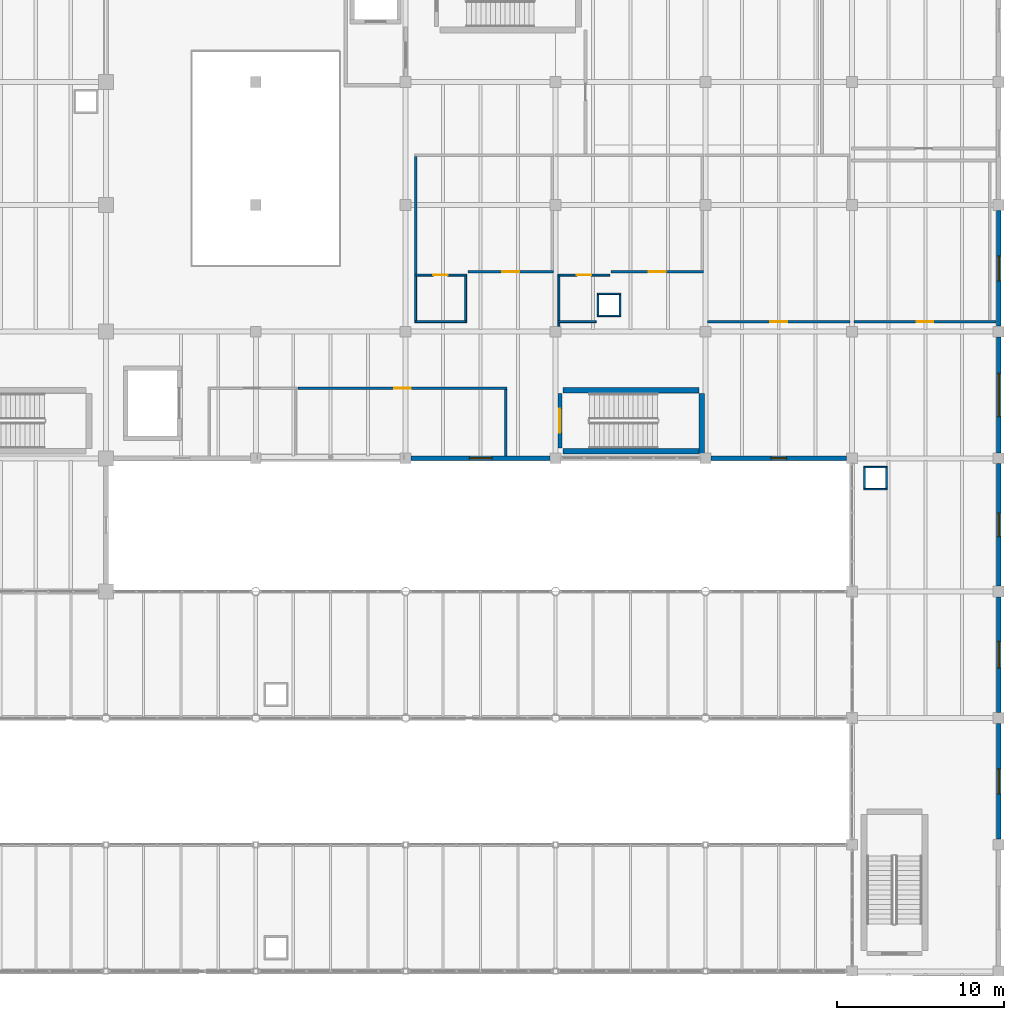
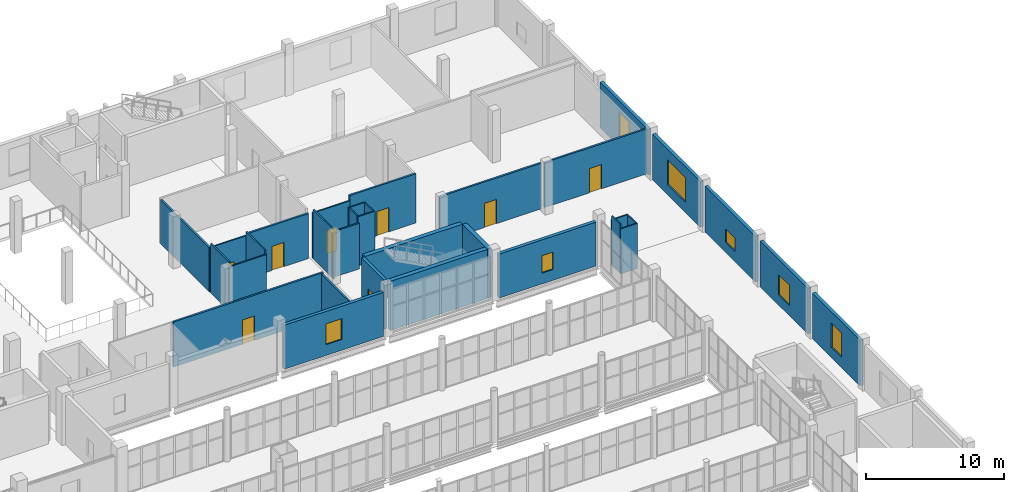
# One storey, part 157 of 172: 33 walls, 8 doors, 7 windows, 15 openings.
"""IFC4 building model written with IfcOpenShell, lengths in metres."""

from ifc_helpers import new_model, si_unit, direction, frame, frame_2d, origin, place, context, subcontext, project, spatial, rectangle, extrude, material, layer, layer_set, type_object, element, fill, save


model = new_model("IFC4")

# Units and contexts
model_context = context("Model", 3, precision=1e-05, world=origin(), true_north=direction((0.0, 1.0)))
body_context = subcontext(model_context, "Body", "Model", "MODEL_VIEW")
ifc_project = project(units=[si_unit("LENGTHUNIT", "METRE"), si_unit("AREAUNIT", "SQUARE_METRE"), si_unit("VOLUMEUNIT", "CUBIC_METRE"), si_unit("PLANEANGLEUNIT", "RADIAN"), si_unit("MASSUNIT", "GRAM", prefix="KILO")], contexts=[model_context])

# Site, building, storey
site_placement = place(None, origin())
site = spatial("IfcSite", under=ifc_project, at=site_placement, CompositionType="ELEMENT")
building_placement = place(site_placement, origin())
building = spatial("IfcBuilding", under=site, at=building_placement, Name="Shengluoqiao Park Theatre", CompositionType="ELEMENT")
storey_placement = place(building_placement, frame((0.0, 0.0, 5.39990234375)))
storey = spatial("IfcBuildingStorey", under=building, at=storey_placement, Name="L01", CompositionType="ELEMENT", Elevation=5.39990234375)

# Wall, opening, window
ifc_material_1 = material(Name="Concrete C40", Category="concrete")
ifc_layer_1 = layer(ifc_material_1, 0.27001953125, Name="Concrete C40")
ifc_layer_set_1 = layer_set([ifc_layer_1], Name="Concrete C40")
wall_type_1 = type_object("IfcWallType", Name="ENV-WL-CONC270", PredefinedType="STANDARD", material=ifc_layer_set_1)
wall_1_placement = place(storey_placement, frame((130.72900390625, 84.0, 0.0), z_axis=(0.0, 0.0, 1.0), x_axis=(1.0, 0.0, 0.0)))
wall_1 = element("IfcWall", 1, at=wall_1_placement, inside=storey, type_object=wall_type_1, Name="L01 Exterior Wall 0194", PredefinedType="STANDARD", context=body_context, shape_type="SweptSolid", body=[
    extrude(rectangle(XDim=8.342041015625, YDim=0.27001953125, at=frame_2d((4.1708984375, 0.0))), origin(), (0.0, 0.0, 1.0), 3.898193359375),
])
opening_1_placement = place(wall_1_placement, frame((3.49609375, 0.0, 0.949951171875)))
opening_1 = element("IfcOpeningElement", 2, at=opening_1_placement, cuts=wall_1, Name="Opening W-17", PredefinedType="OPENING", context=body_context, shape_type="SweptSolid", body=[
    extrude(rectangle(XDim=1.35009765625, YDim=1.85009765625, at=frame_2d((0.675048828125, 0.925048828125))), frame((0.0, 0.14501953125, 0.0), z_axis=(0.0, -1.0, 0.0), x_axis=(1.0, 0.0, 0.0)), (0.0, 0.0, 1.0), 0.2900390625),
])
ifc_material_2 = material(Name="Insulated glass", Category="glass")
window_type_1 = type_object("IfcWindowType", Name="ENV-WIN-W17", PartitioningType="SINGLE_PANEL", PredefinedType="WINDOW", material=ifc_material_2)
window_1_placement = place(opening_1_placement, origin())
window_1 = element("IfcWindow", 3, at=window_1_placement, inside=storey, type_object=window_type_1, Name="L01 Acoustic Window 0040", OverallHeight=1.85009765625, OverallWidth=1.35009765625, PartitioningType="SINGLE_PANEL", PredefinedType="WINDOW", context=body_context, shape_type="SweptSolid", body=[
    extrude(rectangle(XDim=1.35009765625, YDim=1.85009765625, at=frame_2d((0.675048828125, 0.925048828125))), frame((0.0, 0.030029296875, 0.0), z_axis=(0.0, -1.0, 0.0), x_axis=(1.0, 0.0, 0.0)), (0.0, 0.0, 1.0), 0.06005859375),
])
fill(opening_1, window_1)

wall_2_placement = place(storey_placement, frame((148.72900390625, 84.0, 0.0), z_axis=(0.0, 0.0, 1.0), x_axis=(1.0, 0.0, 0.0)))
wall_2 = element("IfcWall", 4, at=wall_2_placement, inside=storey, type_object=wall_type_1, Name="L01 Exterior Wall 0195", PredefinedType="STANDARD", context=body_context, shape_type="SweptSolid", body=[
    extrude(rectangle(XDim=8.14208984375, YDim=0.27001953125, at=frame_2d((4.071044921875, 0.0))), origin(), (0.0, 0.0, 1.0), 3.898193359375),
])
opening_2_placement = place(wall_2_placement, frame((3.595947265625, 0.0, 0.949951171875)))
opening_2 = element("IfcOpeningElement", 5, at=opening_2_placement, cuts=wall_2, Name="Opening W-08", PredefinedType="OPENING", context=body_context, shape_type="SweptSolid", body=[
    extrude(rectangle(XDim=0.949951171875, YDim=1.550048828125, at=frame_2d((0.47509765625, 0.77490234375))), frame((0.0, 0.14501953125, 0.0), z_axis=(0.0, -1.0, 0.0), x_axis=(1.0, 0.0, 0.0)), (0.0, 0.0, 1.0), 0.2900390625),
])
window_type_2 = type_object("IfcWindowType", Name="ENV-WIN-W08", PartitioningType="SINGLE_PANEL", PredefinedType="WINDOW", material=ifc_material_2)
window_2_placement = place(opening_2_placement, origin())
window_2 = element("IfcWindow", 6, at=window_2_placement, inside=storey, type_object=window_type_2, Name="L01 Acoustic Window 0041", OverallHeight=1.550048828125, OverallWidth=0.949951171875, PartitioningType="SINGLE_PANEL", PredefinedType="WINDOW", context=body_context, shape_type="SweptSolid", body=[
    extrude(rectangle(XDim=0.949951171875, YDim=1.550048828125, at=frame_2d((0.47509765625, 0.77490234375))), frame((0.0, 0.030029296875, 0.0), z_axis=(0.0, -1.0, 0.0), x_axis=(1.0, 0.0, 0.0)), (0.0, 0.0, 1.0), 0.06005859375),
])
fill(opening_2, window_2)

wall_3_placement = place(storey_placement, frame((166.0, 61.12890625, 0.0), z_axis=(0.0, 0.0, 1.0), x_axis=(0.0, 1.0, 0.0)))
wall_3 = element("IfcWall", 7, at=wall_3_placement, inside=storey, type_object=wall_type_1, Name="L01 Exterior Wall 0204", PredefinedType="STANDARD", context=body_context, shape_type="SweptSolid", body=[
    extrude(rectangle(XDim=6.942138671875, YDim=0.27001953125, at=frame_2d((3.47119140625, 0.0))), origin(), (0.0, 0.0, 1.0), 4.044189453125),
])
opening_3_placement = place(wall_3_placement, frame((2.720947265625, 0.0, 0.89990234375)))
opening_3 = element("IfcOpeningElement", 8, at=opening_3_placement, cuts=wall_3, Name="Opening W-03", PredefinedType="OPENING", context=body_context, shape_type="SweptSolid", body=[
    extrude(rectangle(XDim=1.5, YDim=2.14990234375, at=frame_2d((0.75, 1.074951171875))), frame((0.0, 0.14501953125, 0.0), z_axis=(0.0, -1.0, 0.0), x_axis=(1.0, 0.0, 0.0)), (0.0, 0.0, 1.0), 0.2900390625),
])
window_type_3 = type_object("IfcWindowType", Name="ENV-WIN-W03", PartitioningType="DOUBLE_PANEL_VERTICAL", PredefinedType="WINDOW", material=ifc_material_2)
window_3_placement = place(opening_3_placement, origin())
window_3 = element("IfcWindow", 9, at=window_3_placement, inside=storey, type_object=window_type_3, Name="L01 Acoustic Window 0050", OverallHeight=2.14990234375, OverallWidth=1.5, PartitioningType="DOUBLE_PANEL_VERTICAL", PredefinedType="WINDOW", context=body_context, shape_type="SweptSolid", body=[
    extrude(rectangle(XDim=1.5, YDim=2.14990234375, at=frame_2d((0.75, 1.074951171875))), frame((0.0, 0.030029296875, 0.0), z_axis=(0.0, -1.0, 0.0), x_axis=(1.0, 0.0, 0.0)), (0.0, 0.0, 1.0), 0.06005859375),
])
fill(opening_3, window_3)

wall_4_placement = place(storey_placement, frame((166.0, 68.72900390625, 0.0), z_axis=(0.0, 0.0, 1.0), x_axis=(0.0, 1.0, 0.0)))
wall_4 = element("IfcWall", 10, at=wall_4_placement, inside=storey, type_object=wall_type_1, Name="L01 Exterior Wall 0205", PredefinedType="STANDARD", context=body_context, shape_type="SweptSolid", body=[
    extrude(rectangle(XDim=6.94189453125, YDim=0.27001953125, at=frame_2d((3.470947265625, 0.0))), origin(), (0.0, 0.0, 1.0), 4.044189453125),
])
opening_4_placement = place(wall_4_placement, frame((2.6708984375, 0.0, 0.89990234375)))
opening_4 = element("IfcOpeningElement", 11, at=opening_4_placement, cuts=wall_4, Name="Opening W-06", PredefinedType="OPENING", context=body_context, shape_type="SweptSolid", body=[
    extrude(rectangle(XDim=1.60009765625, YDim=1.800048828125, at=frame_2d((0.800048828125, 0.89990234375))), frame((0.0, 0.14501953125, 0.0), z_axis=(0.0, -1.0, 0.0), x_axis=(1.0, 0.0, 0.0)), (0.0, 0.0, 1.0), 0.2900390625),
])
window_type_4 = type_object("IfcWindowType", Name="ENV-WIN-W06", PartitioningType="DOUBLE_PANEL_VERTICAL", PredefinedType="WINDOW", material=ifc_material_2)
window_4_placement = place(opening_4_placement, origin())
window_4 = element("IfcWindow", 12, at=window_4_placement, inside=storey, type_object=window_type_4, Name="L01 Acoustic Window 0051", OverallHeight=1.800048828125, OverallWidth=1.60009765625, PartitioningType="DOUBLE_PANEL_VERTICAL", PredefinedType="WINDOW", context=body_context, shape_type="SweptSolid", body=[
    extrude(rectangle(XDim=1.60009765625, YDim=1.800048828125, at=frame_2d((0.800048828125, 0.89990234375))), frame((0.0, 0.030029296875, 0.0), z_axis=(0.0, -1.0, 0.0), x_axis=(1.0, 0.0, 0.0)), (0.0, 0.0, 1.0), 0.06005859375),
])
fill(opening_4, window_4)

wall_5_placement = place(storey_placement, frame((166.0, 76.3291015625, 0.0), z_axis=(0.0, 0.0, 1.0), x_axis=(0.0, 1.0, 0.0)))
wall_5 = element("IfcWall", 13, at=wall_5_placement, inside=storey, type_object=wall_type_1, Name="L01 Exterior Wall 0206", PredefinedType="STANDARD", context=body_context, shape_type="SweptSolid", body=[
    extrude(rectangle(XDim=7.341796875, YDim=0.27001953125, at=frame_2d((3.6708984375, 0.0))), origin(), (0.0, 0.0, 1.0), 4.044189453125),
])
opening_5_placement = place(wall_5_placement, frame((2.970947265625, 0.0, 0.89990234375)))
opening_5 = element("IfcOpeningElement", 14, at=opening_5_placement, cuts=wall_5, Name="Opening W-12", PredefinedType="OPENING", context=body_context, shape_type="SweptSolid", body=[
    extrude(rectangle(XDim=1.39990234375, YDim=1.199951171875, at=frame_2d((0.699951171875, 0.60009765625))), frame((0.0, 0.14501953125, 0.0), z_axis=(0.0, -1.0, 0.0), x_axis=(1.0, 0.0, 0.0)), (0.0, 0.0, 1.0), 0.2900390625),
])
window_type_5 = type_object("IfcWindowType", Name="ENV-WIN-W12", PartitioningType="SINGLE_PANEL", PredefinedType="WINDOW", material=ifc_material_2)
window_5_placement = place(opening_5_placement, origin())
window_5 = element("IfcWindow", 15, at=window_5_placement, inside=storey, type_object=window_type_5, Name="L01 Acoustic Window 0052", OverallHeight=1.199951171875, OverallWidth=1.39990234375, PartitioningType="SINGLE_PANEL", PredefinedType="WINDOW", context=body_context, shape_type="SweptSolid", body=[
    extrude(rectangle(XDim=1.39990234375, YDim=1.199951171875, at=frame_2d((0.699951171875, 0.60009765625))), frame((0.0, 0.030029296875, 0.0), z_axis=(0.0, -1.0, 0.0), x_axis=(1.0, 0.0, 0.0)), (0.0, 0.0, 1.0), 0.06005859375),
])
fill(opening_5, window_5)

wall_6_placement = place(storey_placement, frame((166.0, 84.3291015625, 0.0), z_axis=(0.0, 0.0, 1.0), x_axis=(0.0, 1.0, 0.0)))
wall_6 = element("IfcWall", 16, at=wall_6_placement, inside=storey, type_object=wall_type_1, Name="L01 Exterior Wall 0207", PredefinedType="STANDARD", context=body_context, shape_type="SweptSolid", body=[
    extrude(rectangle(XDim=6.94189453125, YDim=0.27001953125, at=frame_2d((3.470947265625, 0.0))), origin(), (0.0, 0.0, 1.0), 4.044189453125),
])
opening_6_placement = place(wall_6_placement, frame((2.1708984375, 0.0, 0.89990234375)))
opening_6 = element("IfcOpeningElement", 17, at=opening_6_placement, cuts=wall_6, Name="Opening W-14", PredefinedType="OPENING", context=body_context, shape_type="SweptSolid", body=[
    extrude(rectangle(XDim=2.60009765625, YDim=2.199951171875, at=frame_2d((1.300048828125, 1.10009765625))), frame((0.0, 0.14501953125, 0.0), z_axis=(0.0, -1.0, 0.0), x_axis=(1.0, 0.0, 0.0)), (0.0, 0.0, 1.0), 0.2900390625),
])
window_type_6 = type_object("IfcWindowType", Name="ENV-WIN-W14", PartitioningType="DOUBLE_PANEL_VERTICAL", PredefinedType="WINDOW", material=ifc_material_2)
window_6_placement = place(opening_6_placement, origin())
window_6 = element("IfcWindow", 18, at=window_6_placement, inside=storey, type_object=window_type_6, Name="L01 Acoustic Window 0053", OverallHeight=2.199951171875, OverallWidth=2.60009765625, PartitioningType="DOUBLE_PANEL_VERTICAL", PredefinedType="WINDOW", context=body_context, shape_type="SweptSolid", body=[
    extrude(rectangle(XDim=2.60009765625, YDim=2.199951171875, at=frame_2d((1.300048828125, 1.10009765625))), frame((0.0, 0.030029296875, 0.0), z_axis=(0.0, -1.0, 0.0), x_axis=(1.0, 0.0, 0.0)), (0.0, 0.0, 1.0), 0.06005859375),
])
fill(opening_6, window_6)

wall_7_placement = place(storey_placement, frame((166.0, 91.928955078125, 0.0), z_axis=(0.0, 0.0, 1.0), x_axis=(0.0, 1.0, 0.0)))
wall_7 = element("IfcWall", 19, at=wall_7_placement, inside=storey, type_object=wall_type_1, Name="L01 Exterior Wall 0208", PredefinedType="STANDARD", context=body_context, shape_type="SweptSolid", body=[
    extrude(rectangle(XDim=6.942138671875, YDim=0.27001953125, at=frame_2d((3.47119140625, 0.0))), origin(), (0.0, 0.0, 1.0), 4.044189453125),
])
opening_7_placement = place(wall_7_placement, frame((2.720947265625, 0.0, 0.89990234375)))
opening_7 = element("IfcOpeningElement", 20, at=opening_7_placement, cuts=wall_7, Name="Opening W-03", PredefinedType="OPENING", context=body_context, shape_type="SweptSolid", body=[
    extrude(rectangle(XDim=1.5, YDim=2.14990234375, at=frame_2d((0.75, 1.074951171875))), frame((0.0, 0.14501953125, 0.0), z_axis=(0.0, -1.0, 0.0), x_axis=(1.0, 0.0, 0.0)), (0.0, 0.0, 1.0), 0.2900390625),
])
window_7_placement = place(opening_7_placement, origin())
window_7 = element("IfcWindow", 21, at=window_7_placement, inside=storey, type_object=window_type_3, Name="L01 Acoustic Window 0054", OverallHeight=2.14990234375, OverallWidth=1.5, PartitioningType="DOUBLE_PANEL_VERTICAL", PredefinedType="WINDOW", context=body_context, shape_type="SweptSolid", body=[
    extrude(rectangle(XDim=1.5, YDim=2.14990234375, at=frame_2d((0.75, 1.074951171875))), frame((0.0, 0.030029296875, 0.0), z_axis=(0.0, -1.0, 0.0), x_axis=(1.0, 0.0, 0.0)), (0.0, 0.0, 1.0), 0.06005859375),
])
fill(opening_7, window_7)

# Wall, opening, door
ifc_material_3 = material(Name="Gypsum acoustic stud", Category="gypsum")
ifc_layer_2 = layer(ifc_material_3, 0.155029296875, Name="Gypsum acoustic stud")
ifc_layer_set_2 = layer_set([ifc_layer_2], Name="Gypsum acoustic stud")
wall_type_2 = type_object("IfcWallType", Name="INT-WL-DRS155", PredefinedType="PARTITIONING", material=ifc_layer_set_2)
wall_8_placement = place(storey_placement, frame((134.135009765625, 95.199951171875, 0.0), z_axis=(0.0, 0.0, 1.0), x_axis=(1.0, 0.0, 0.0)))
wall_8 = element("IfcWall", 22, at=wall_8_placement, inside=storey, type_object=wall_type_2, Name="Principal Dressing Room 01 Partition S", PredefinedType="PARTITIONING", context=body_context, shape_type="SweptSolid", body=[
    extrude(rectangle(XDim=5.142578125, YDim=0.155029296875, at=frame_2d((2.5712890625, 0.0))), origin(), (0.0, 0.0, 1.0), 3.988037109375),
])
opening_8_placement = place(wall_8_placement, frame((2.0712890625, 0.0, 0.0)))
opening_8 = element("IfcOpeningElement", 23, at=opening_8_placement, cuts=wall_8, Name="Opening D-L01-041", PredefinedType="OPENING", context=body_context, shape_type="SweptSolid", body=[
    extrude(rectangle(XDim=1.0, YDim=2.14990234375, at=frame_2d((0.5, 1.074951171875))), frame((0.0, 0.08740234375, 0.0), z_axis=(0.0, -1.0, 0.0), x_axis=(1.0, 0.0, 0.0)), (0.0, 0.0, 1.0), 0.175048828125),
])
ifc_material_4 = material(Name="Acoustic timber", Category="wood")
door_type_1 = type_object("IfcDoorType", Name="INT-DR-SNG100", OperationType="NOTDEFINED", PredefinedType="DOOR", material=ifc_material_4)
door_1_placement = place(opening_8_placement, origin())
door_1 = element("IfcDoor", 24, at=door_1_placement, inside=storey, type_object=door_type_1, Name="Principal Dressing Room 01 Door D-L01-041", OperationType="SINGLE_SWING_LEFT", OverallHeight=2.14990234375, OverallWidth=1.0, PredefinedType="DOOR", context=body_context, shape_type="SweptSolid", body=[
    extrude(rectangle(XDim=1.0, YDim=2.14990234375, at=frame_2d((0.5, 1.074951171875))), frame((0.0, 0.02490234375, 0.0), z_axis=(0.0, -1.0, 0.0), x_axis=(1.0, 0.0, 0.0)), (0.0, 0.0, 1.0), 0.050048828125),
])
fill(opening_8, door_1)

# Wall
wall_9_placement = place(storey_placement, frame((131.0, 95.0654296875, 0.0), z_axis=(0.0, 0.0, 1.0), x_axis=(0.0, 1.0, 0.0)))
element("IfcWall", 25, at=wall_9_placement, inside=storey, type_object=wall_type_2, Name="Principal Dressing Room 01 Partition W", PredefinedType="PARTITIONING", context=body_context, shape_type="SweptSolid", body=[
    extrude(rectangle(XDim=7.051025390625, YDim=0.155029296875, at=frame_2d((3.525390625, 0.0))), origin(), (0.0, 0.0, 1.0), 3.898193359375),
])

# Wall, opening, door
wall_10_placement = place(storey_placement, frame((142.735107421875, 95.199951171875, 0.0), z_axis=(0.0, 0.0, 1.0), x_axis=(1.0, 0.0, 0.0)))
wall_10 = element("IfcWall", 26, at=wall_10_placement, inside=storey, type_object=wall_type_2, Name="Principal Dressing Room 02 Partition S", PredefinedType="PARTITIONING", context=body_context, shape_type="SweptSolid", body=[
    extrude(rectangle(XDim=5.54248046875, YDim=0.155029296875, at=frame_2d((2.771240234375, 0.0))), origin(), (0.0, 0.0, 1.0), 4.360107421875),
])
opening_9_placement = place(wall_10_placement, frame((2.271240234375, 0.0, 0.0)))
opening_9 = element("IfcOpeningElement", 27, at=opening_9_placement, cuts=wall_10, Name="Opening D-L01-042", PredefinedType="OPENING", context=body_context, shape_type="SweptSolid", body=[
    extrude(rectangle(XDim=1.0, YDim=2.14990234375, at=frame_2d((0.5, 1.074951171875))), frame((0.0, 0.08740234375, 0.0), z_axis=(0.0, -1.0, 0.0), x_axis=(1.0, 0.0, 0.0)), (0.0, 0.0, 1.0), 0.175048828125),
])
door_2_placement = place(opening_9_placement, origin())
door_2 = element("IfcDoor", 28, at=door_2_placement, inside=storey, type_object=door_type_1, Name="Principal Dressing Room 02 Door D-L01-042", OperationType="SINGLE_SWING_RIGHT", OverallHeight=2.14990234375, OverallWidth=1.0, PredefinedType="DOOR", context=body_context, shape_type="SweptSolid", body=[
    extrude(rectangle(XDim=1.0, YDim=2.14990234375, at=frame_2d((0.5, 1.074951171875))), frame((0.0, 0.02490234375, 0.0), z_axis=(0.0, -1.0, 0.0), x_axis=(1.0, 0.0, 0.0)), (0.0, 0.0, 1.0), 0.050048828125),
])
fill(opening_9, door_2)

wall_11_placement = place(storey_placement, frame((148.5224609375, 92.199951171875, 0.0), z_axis=(0.0, 0.0, 1.0), x_axis=(1.0, 0.0, 0.0)))
wall_11 = element("IfcWall", 29, at=wall_11_placement, inside=storey, type_object=wall_type_2, Name="Chorus Dressing Room 01 Partition S", PredefinedType="PARTITIONING", context=body_context, shape_type="SweptSolid", body=[
    extrude(rectangle(XDim=8.554931640625, YDim=0.155029296875, at=frame_2d((4.27734375, 0.0))), origin(), (0.0, 0.0, 1.0), 4.044189453125),
])
opening_10_placement = place(wall_11_placement, frame((3.777587890625, 0.0, 0.0)))
opening_10 = element("IfcOpeningElement", 30, at=opening_10_placement, cuts=wall_11, Name="Opening D-L01-043", PredefinedType="OPENING", context=body_context, shape_type="SweptSolid", body=[
    extrude(rectangle(XDim=1.0, YDim=2.14990234375, at=frame_2d((0.5, 1.074951171875))), frame((0.0, 0.08740234375, 0.0), z_axis=(0.0, -1.0, 0.0), x_axis=(1.0, 0.0, 0.0)), (0.0, 0.0, 1.0), 0.175048828125),
])
door_3_placement = place(opening_10_placement, origin())
door_3 = element("IfcDoor", 31, at=door_3_placement, inside=storey, type_object=door_type_1, Name="Chorus Dressing Room 01 Door D-L01-043", OperationType="SINGLE_SWING_LEFT", OverallHeight=2.14990234375, OverallWidth=1.0, PredefinedType="DOOR", context=body_context, shape_type="SweptSolid", body=[
    extrude(rectangle(XDim=1.0, YDim=2.14990234375, at=frame_2d((0.5, 1.074951171875))), frame((0.0, 0.02490234375, 0.0), z_axis=(0.0, -1.0, 0.0), x_axis=(1.0, 0.0, 0.0)), (0.0, 0.0, 1.0), 0.050048828125),
])
fill(opening_10, door_3)

wall_12_placement = place(storey_placement, frame((157.322509765625, 92.199951171875, 0.0), z_axis=(0.0, 0.0, 1.0), x_axis=(1.0, 0.0, 0.0)))
wall_12 = element("IfcWall", 32, at=wall_12_placement, inside=storey, type_object=wall_type_2, Name="Chorus Dressing Room 02 Partition S", PredefinedType="PARTITIONING", context=body_context, shape_type="SweptSolid", body=[
    extrude(rectangle(XDim=8.534423828125, YDim=0.155029296875, at=frame_2d((4.26708984375, 0.0))), origin(), (0.0, 0.0, 1.0), 3.988037109375),
])
opening_11_placement = place(wall_12_placement, frame((3.767333984375, 0.0, 0.0)))
opening_11 = element("IfcOpeningElement", 33, at=opening_11_placement, cuts=wall_12, Name="Opening D-L01-044", PredefinedType="OPENING", context=body_context, shape_type="SweptSolid", body=[
    extrude(rectangle(XDim=1.0, YDim=2.14990234375, at=frame_2d((0.5, 1.074951171875))), frame((0.0, 0.08740234375, 0.0), z_axis=(0.0, -1.0, 0.0), x_axis=(1.0, 0.0, 0.0)), (0.0, 0.0, 1.0), 0.175048828125),
])
door_4_placement = place(opening_11_placement, origin())
door_4 = element("IfcDoor", 34, at=door_4_placement, inside=storey, type_object=door_type_1, Name="Chorus Dressing Room 02 Door D-L01-044", OperationType="SINGLE_SWING_RIGHT", OverallHeight=2.14990234375, OverallWidth=1.0, PredefinedType="DOOR", context=body_context, shape_type="SweptSolid", body=[
    extrude(rectangle(XDim=1.0, YDim=2.14990234375, at=frame_2d((0.5, 1.074951171875))), frame((0.0, 0.02490234375, 0.0), z_axis=(0.0, -1.0, 0.0), x_axis=(1.0, 0.0, 0.0)), (0.0, 0.0, 1.0), 0.050048828125),
])
fill(opening_11, door_4)

wall_13_placement = place(storey_placement, frame((123.93505859375, 88.199951171875, 0.0), z_axis=(0.0, 0.0, 1.0), x_axis=(1.0, 0.0, 0.0)))
wall_13 = element("IfcWall", 35, at=wall_13_placement, inside=storey, type_object=wall_type_2, Name="Character Makeup and Costume Fitting Studio Partition N", PredefinedType="PARTITIONING", context=body_context, shape_type="SweptSolid", body=[
    extrude(rectangle(XDim=12.54248046875, YDim=0.155029296875, at=frame_2d((6.271240234375, 0.0))), origin(), (0.0, 0.0, 1.0), 3.988037109375),
])
opening_12_placement = place(wall_13_placement, frame((5.771240234375, 0.0, 0.0)))
opening_12 = element("IfcOpeningElement", 36, at=opening_12_placement, cuts=wall_13, Name="Opening D-L01-045", PredefinedType="OPENING", context=body_context, shape_type="SweptSolid", body=[
    extrude(rectangle(XDim=1.0, YDim=2.14990234375, at=frame_2d((0.5, 1.074951171875))), frame((0.0, 0.08740234375, 0.0), z_axis=(0.0, -1.0, 0.0), x_axis=(1.0, 0.0, 0.0)), (0.0, 0.0, 1.0), 0.175048828125),
])
door_5_placement = place(opening_12_placement, origin())
door_5 = element("IfcDoor", 37, at=door_5_placement, inside=storey, type_object=door_type_1, Name="Character Makeup and Costume Fitting Studio Door D-L01-045", OperationType="SINGLE_SWING_LEFT", OverallHeight=2.14990234375, OverallWidth=1.0, PredefinedType="DOOR", context=body_context, shape_type="SweptSolid", body=[
    extrude(rectangle(XDim=1.0, YDim=2.14990234375, at=frame_2d((0.5, 1.074951171875))), frame((0.0, 0.02490234375, 0.0), z_axis=(0.0, -1.0, 0.0), x_axis=(1.0, 0.0, 0.0)), (0.0, 0.0, 1.0), 0.050048828125),
])
fill(opening_12, door_5)

# Walls
wall_14_placement = place(storey_placement, frame((136.39990234375, 84.14306640625, 0.0), z_axis=(0.0, 0.0, 1.0), x_axis=(0.0, 1.0, 0.0)))
element("IfcWall", 38, at=wall_14_placement, inside=storey, type_object=wall_type_2, Name="Character Makeup and Costume Fitting Studio Partition E", PredefinedType="PARTITIONING", context=body_context, shape_type="SweptSolid", body=[
    extrude(rectangle(XDim=3.973388671875, YDim=0.155029296875, at=frame_2d((1.98681640625, 0.0))), origin(), (0.0, 0.0, 1.0), 3.898193359375),
])
ifc_material_5 = material(Name="Gypsum shaftwall", Category="gypsum")
ifc_layer_3 = layer(ifc_material_5, 0.094970703125, Name="Gypsum shaftwall")
ifc_layer_set_3 = layer_set([ifc_layer_3], Name="Gypsum shaftwall")
wall_type_3 = type_object("IfcWallType", Name="INT-WL-RSR095", PredefinedType="PARTITIONING", material=ifc_layer_set_3)
for number, where, z_axis, x_axis, name in (
    (39, (141.905029296875, 92.550048828125, 0.0), (0.0, 0.0, 1.0), (1.0, 0.0, 0.0), "L01 Service Riser Shaftwall 093"),
    (40, (141.905029296875, 93.8701171875, 0.0), (0.0, 0.0, 1.0), (1.0, 0.0, 0.0), "L01 Service Riser Shaftwall 094"),
):
    element("IfcWall", number, at=place(storey_placement, frame(where, z_axis=z_axis, x_axis=x_axis)), inside=storey, type_object=wall_type_3, Name=name, PredefinedType="PARTITIONING", context=body_context, shape_type="SweptSolid", body=[
        extrude(rectangle(XDim=1.409912109375, YDim=0.094970703125, at=frame_2d((0.705078125, 0.0))), origin(), (0.0, 0.0, 1.0), 4.360107421875),
    ])
for number, where, z_axis, x_axis, name in (
    (41, (141.949951171875, 92.60498046875, 0.0), (0.0, 0.0, 1.0), (0.0, 1.0, 0.0), "L01 Service Riser Shaftwall 095"),
    (42, (143.27001953125, 92.60498046875, 0.0), (0.0, 0.0, 1.0), (0.0, 1.0, 0.0), "L01 Service Riser Shaftwall 096"),
):
    element("IfcWall", number, at=place(storey_placement, frame(where, z_axis=z_axis, x_axis=x_axis)), inside=storey, type_object=wall_type_3, Name=name, PredefinedType="PARTITIONING", context=body_context, shape_type="SweptSolid", body=[
        extrude(rectangle(XDim=1.2099609375, YDim=0.094970703125, at=frame_2d((0.60498046875, 0.0))), origin(), (0.0, 0.0, 1.0), 4.360107421875),
    ])
for number, where, z_axis, x_axis, name in (
    (43, (157.905029296875, 82.14990234375, 0.0), (0.0, 0.0, 1.0), (1.0, 0.0, 0.0), "L01 Service Riser Shaftwall 097"),
    (44, (157.905029296875, 83.469970703125, 0.0), (0.0, 0.0, 1.0), (1.0, 0.0, 0.0), "L01 Service Riser Shaftwall 098"),
):
    element("IfcWall", number, at=place(storey_placement, frame(where, z_axis=z_axis, x_axis=x_axis)), inside=storey, type_object=wall_type_3, Name=name, PredefinedType="PARTITIONING", context=body_context, shape_type="SweptSolid", body=[
        extrude(rectangle(XDim=1.409912109375, YDim=0.094970703125, at=frame_2d((0.705078125, 0.0))), origin(), (0.0, 0.0, 1.0), 3.988037109375),
    ])
wall_15_placement = place(storey_placement, frame((157.949951171875, 82.205078125, 0.0), z_axis=(0.0, 0.0, 1.0), x_axis=(0.0, 1.0, 0.0)))
element("IfcWall", 45, at=wall_15_placement, inside=storey, type_object=wall_type_3, Name="L01 Service Riser Shaftwall 099", PredefinedType="PARTITIONING", context=body_context, shape_type="SweptSolid", body=[
    extrude(rectangle(XDim=1.2099609375, YDim=0.094970703125, at=frame_2d((0.60498046875, 0.0))), origin(), (0.0, 0.0, 1.0), 4.360107421875),
])
wall_16_placement = place(storey_placement, frame((159.27001953125, 82.205078125, 0.0), z_axis=(0.0, 0.0, 1.0), x_axis=(0.0, 1.0, 0.0)))
element("IfcWall", 46, at=wall_16_placement, inside=storey, type_object=wall_type_3, Name="L01 Service Riser Shaftwall 100", PredefinedType="PARTITIONING", context=body_context, shape_type="SweptSolid", body=[
    extrude(rectangle(XDim=1.2099609375, YDim=0.094970703125, at=frame_2d((0.60498046875, 0.0))), origin(), (0.0, 0.0, 1.0), 3.988037109375),
])

# Wall, opening, door
ifc_layer_4 = layer(ifc_material_1, 0.239990234375, Name="Concrete C40")
ifc_layer_set_4 = layer_set([ifc_layer_4], Name="Concrete C40")
wall_type_4 = type_object("IfcWallType", Name="INT-WL-STW240", PredefinedType="STANDARD", material=ifc_layer_set_4)
wall_17_placement = place(storey_placement, frame((139.659912109375, 84.610107421875, 0.0), z_axis=(0.0, 0.0, 1.0), x_axis=(0.0, 1.0, 0.0)))
wall_17 = element("IfcWall", 47, at=wall_17_placement, inside=storey, type_object=wall_type_4, Name="L01 ST-10 Stairwell Fire Wall", PredefinedType="STANDARD", context=body_context, shape_type="SweptSolid", body=[
    extrude(rectangle(XDim=3.27978515625, YDim=0.239990234375, at=frame_2d((1.639892578125, 0.0))), origin(), (0.0, 0.0, 1.0), 4.360107421875),
])
opening_13_placement = place(wall_17_placement, frame((0.9150390625, 0.0, 0.0)))
opening_13 = element("IfcOpeningElement", 48, at=opening_13_placement, cuts=wall_17, Name="Opening SD-10-L01", PredefinedType="OPENING", context=body_context, shape_type="SweptSolid", body=[
    extrude(rectangle(XDim=1.449951171875, YDim=2.199951171875, at=frame_2d((0.72509765625, 1.10009765625))), frame((0.0, 0.1298828125, 0.0), z_axis=(0.0, -1.0, 0.0), x_axis=(1.0, 0.0, 0.0)), (0.0, 0.0, 1.0), 0.260009765625),
])
ifc_material_6 = material(Name="Steel Q355", Category="steel")
door_type_2 = type_object("IfcDoorType", Name="INT-DR-STW145", OperationType="DOUBLE_DOOR_SINGLE_SWING", PredefinedType="DOOR", material=ifc_material_6)
door_6_placement = place(opening_13_placement, origin())
door_6 = element("IfcDoor", 49, at=door_6_placement, inside=storey, type_object=door_type_2, Name="L01 ST-10 Escape Stair Door SD-10-L01", OperationType="DOUBLE_DOOR_SINGLE_SWING", OverallHeight=2.199951171875, OverallWidth=1.449951171875, PredefinedType="DOOR", context=body_context, shape_type="SweptSolid", body=[
    extrude(rectangle(XDim=1.449951171875, YDim=2.199951171875, at=frame_2d((0.72509765625, 1.10009765625))), frame((0.0, 0.02490234375, 0.0), z_axis=(0.0, -1.0, 0.0), x_axis=(1.0, 0.0, 0.0)), (0.0, 0.0, 1.0), 0.050048828125),
])
fill(opening_13, door_6)

ifc_material_7 = material(Name="Moisture-resistant board")
ifc_layer_5 = layer(ifc_material_7, 0.114990234375, Name="Moisture-resistant board")
ifc_layer_set_5 = layer_set([ifc_layer_5], Name="Moisture-resistant board")
wall_type_5 = type_object("IfcWallType", Name="INT-WL-WCP115", PredefinedType="PARTITIONING", material=ifc_layer_set_5)
wall_18_placement = place(storey_placement, frame((130.9423828125, 95.0, 0.0), z_axis=(0.0, 0.0, 1.0), x_axis=(1.0, 0.0, 0.0)))
wall_18 = element("IfcWall", 50, at=wall_18_placement, inside=storey, type_object=wall_type_5, Name="Principal En-Suite WC 01 Partition N", PredefinedType="PARTITIONING", context=body_context, shape_type="SweptSolid", body=[
    extrude(rectangle(XDim=3.115234375, YDim=0.114990234375, at=frame_2d((1.5576171875, 0.0))), origin(), (0.0, 0.0, 1.0), 3.988037109375),
])
opening_14_placement = place(wall_18_placement, frame((1.12744140625, 0.0, 0.0)))
opening_14 = element("IfcOpeningElement", 51, at=opening_14_placement, cuts=wall_18, Name="Opening D-L01-039", PredefinedType="OPENING", context=body_context, shape_type="SweptSolid", body=[
    extrude(rectangle(XDim=0.860107421875, YDim=2.0400390625, at=frame_2d((0.43017578125, 1.02001953125))), frame((0.0, 0.0673828125, 0.0), z_axis=(0.0, -1.0, 0.0), x_axis=(1.0, 0.0, 0.0)), (0.0, 0.0, 1.0), 0.135009765625),
])
ifc_material_8 = material(Name="Moisture-resistant laminate")
door_type_3 = type_object("IfcDoorType", Name="INT-DR-ENS086", OperationType="NOTDEFINED", PredefinedType="DOOR", material=ifc_material_8)
door_7_placement = place(opening_14_placement, origin())
door_7 = element("IfcDoor", 52, at=door_7_placement, inside=storey, type_object=door_type_3, Name="Principal En-Suite WC 01 Door D-L01-039", OperationType="SINGLE_SWING_LEFT", OverallHeight=2.0400390625, OverallWidth=0.860107421875, PredefinedType="DOOR", context=body_context, shape_type="SweptSolid", body=[
    extrude(rectangle(XDim=0.860107421875, YDim=2.0400390625, at=frame_2d((0.43017578125, 1.02001953125))), frame((0.0, 0.02490234375, 0.0), z_axis=(0.0, -1.0, 0.0), x_axis=(1.0, 0.0, 0.0)), (0.0, 0.0, 1.0), 0.050048828125),
])
fill(opening_14, door_7)

# Walls
wall_19_placement = place(storey_placement, frame((130.9423828125, 92.199951171875, 0.0), z_axis=(0.0, 0.0, 1.0), x_axis=(1.0, 0.0, 0.0)))
element("IfcWall", 53, at=wall_19_placement, inside=storey, type_object=wall_type_5, Name="Principal En-Suite WC 01 Partition S", PredefinedType="PARTITIONING", context=body_context, shape_type="SweptSolid", body=[
    extrude(rectangle(XDim=3.115234375, YDim=0.114990234375, at=frame_2d((1.5576171875, 0.0))), origin(), (0.0, 0.0, 1.0), 3.988037109375),
])
for number, where, z_axis, x_axis, name in (
    (54, (131.0, 92.263427734375, 0.0), (0.0, 0.0, 1.0), (0.0, 1.0, 0.0), "Principal En-Suite WC 01 Partition W"),
    (55, (134.0, 92.263427734375, 0.0), (0.0, 0.0, 1.0), (0.0, 1.0, 0.0), "Principal En-Suite WC 01 Partition E"),
):
    element("IfcWall", number, at=place(storey_placement, frame(where, z_axis=z_axis, x_axis=x_axis)), inside=storey, type_object=wall_type_5, Name=name, PredefinedType="PARTITIONING", context=body_context, shape_type="SweptSolid", body=[
        extrude(rectangle(XDim=2.673095703125, YDim=0.114990234375, at=frame_2d((1.33642578125, 0.0))), origin(), (0.0, 0.0, 1.0), 4.360107421875),
    ])

# Wall, opening, door
wall_20_placement = place(storey_placement, frame((139.54248046875, 95.0, 0.0), z_axis=(0.0, 0.0, 1.0), x_axis=(1.0, 0.0, 0.0)))
wall_20 = element("IfcWall", 56, at=wall_20_placement, inside=storey, type_object=wall_type_5, Name="Principal En-Suite WC 02 Partition N", PredefinedType="PARTITIONING", context=body_context, shape_type="SweptSolid", body=[
    extrude(rectangle(XDim=3.114990234375, YDim=0.114990234375, at=frame_2d((1.5576171875, 0.0))), origin(), (0.0, 0.0, 1.0), 4.044189453125),
])
opening_15_placement = place(wall_20_placement, frame((1.12744140625, 0.0, 0.0)))
opening_15 = element("IfcOpeningElement", 57, at=opening_15_placement, cuts=wall_20, Name="Opening D-L01-040", PredefinedType="OPENING", context=body_context, shape_type="SweptSolid", body=[
    extrude(rectangle(XDim=0.860107421875, YDim=2.0400390625, at=frame_2d((0.43017578125, 1.02001953125))), frame((0.0, 0.0673828125, 0.0), z_axis=(0.0, -1.0, 0.0), x_axis=(1.0, 0.0, 0.0)), (0.0, 0.0, 1.0), 0.135009765625),
])
door_8_placement = place(opening_15_placement, origin())
door_8 = element("IfcDoor", 58, at=door_8_placement, inside=storey, type_object=door_type_3, Name="Principal En-Suite WC 02 Door D-L01-040", OperationType="SINGLE_SWING_RIGHT", OverallHeight=2.0400390625, OverallWidth=0.860107421875, PredefinedType="DOOR", context=body_context, shape_type="SweptSolid", body=[
    extrude(rectangle(XDim=0.860107421875, YDim=2.0400390625, at=frame_2d((0.43017578125, 1.02001953125))), frame((0.0, 0.02490234375, 0.0), z_axis=(0.0, -1.0, 0.0), x_axis=(1.0, 0.0, 0.0)), (0.0, 0.0, 1.0), 0.050048828125),
])
fill(opening_15, door_8)

# Walls
wall_21_placement = place(storey_placement, frame((139.54248046875, 92.199951171875, 0.0), z_axis=(0.0, 0.0, 1.0), x_axis=(1.0, 0.0, 0.0)))
element("IfcWall", 59, at=wall_21_placement, inside=storey, type_object=wall_type_5, Name="Principal En-Suite WC 02 Partition S", PredefinedType="PARTITIONING", context=body_context, shape_type="SweptSolid", body=[
    extrude(rectangle(XDim=2.294921875, YDim=0.114990234375, at=frame_2d((1.1474609375, 0.0))), origin(), (0.0, 0.0, 1.0), 4.044189453125),
])
wall_22_placement = place(storey_placement, frame((139.60009765625, 91.93310546875, 0.0), z_axis=(0.0, 0.0, 1.0), x_axis=(0.0, 1.0, 0.0)))
element("IfcWall", 60, at=wall_22_placement, inside=storey, type_object=wall_type_5, Name="Principal En-Suite WC 02 Partition W", PredefinedType="PARTITIONING", context=body_context, shape_type="SweptSolid", body=[
    extrude(rectangle(XDim=3.00341796875, YDim=0.114990234375, at=frame_2d((1.501708984375, 0.0))), origin(), (0.0, 0.0, 1.0), 4.360107421875),
])
ifc_material_9 = material(Name="Concrete C50", Category="concrete")
ifc_layer_6 = layer(ifc_material_9, 0.35009765625, Name="Concrete C50")
ifc_layer_set_6 = layer_set([ifc_layer_6], Name="Concrete C50")
wall_type_6 = type_object("IfcWallType", Name="STR-SW-CORE350", PredefinedType="SHEAR", material=ifc_layer_set_6)
wall_23_placement = place(storey_placement, frame((139.85009765625, 84.419921875, 0.0), z_axis=(0.0, 0.0, 1.0), x_axis=(1.0, 0.0, 0.0)))
element("IfcWall", 61, at=wall_23_placement, inside=storey, type_object=wall_type_6, Name="L01 ST-10 Core Left Shear Wall 0133", PredefinedType="SHEAR", context=body_context, shape_type="SweptSolid", body=[
    extrude(rectangle(XDim=8.14990234375, YDim=0.35009765625, at=frame_2d((4.074951171875, 0.0))), origin(), (0.0, 0.0, 1.0), 4.360107421875),
])
wall_24_placement = place(storey_placement, frame((148.179931640625, 84.280029296875, 0.0), z_axis=(0.0, 0.0, 1.0), x_axis=(0.0, 1.0, 0.0)))
element("IfcWall", 62, at=wall_24_placement, inside=storey, type_object=wall_type_6, Name="L01 ST-10 Core Far Shear Wall 0134", PredefinedType="SHEAR", context=body_context, shape_type="SweptSolid", body=[
    extrude(rectangle(XDim=3.619873046875, YDim=0.35009765625, at=frame_2d((1.81005859375, 0.0))), origin(), (0.0, 0.0, 1.0), 4.360107421875),
])
wall_25_placement = place(storey_placement, frame((148.0, 88.080078125, 0.0), z_axis=(0.0, 0.0, 1.0), x_axis=(-1.0, 0.0, 0.0)))
element("IfcWall", 63, at=wall_25_placement, inside=storey, type_object=wall_type_6, Name="L01 ST-10 Core Right Shear Wall 0135", PredefinedType="SHEAR", context=body_context, shape_type="SweptSolid", body=[
    extrude(rectangle(XDim=8.14990234375, YDim=0.35009765625, at=frame_2d((4.074951171875, 0.0))), origin(), (0.0, 0.0, 1.0), 4.360107421875),
])

save(model, "model.ifc")
